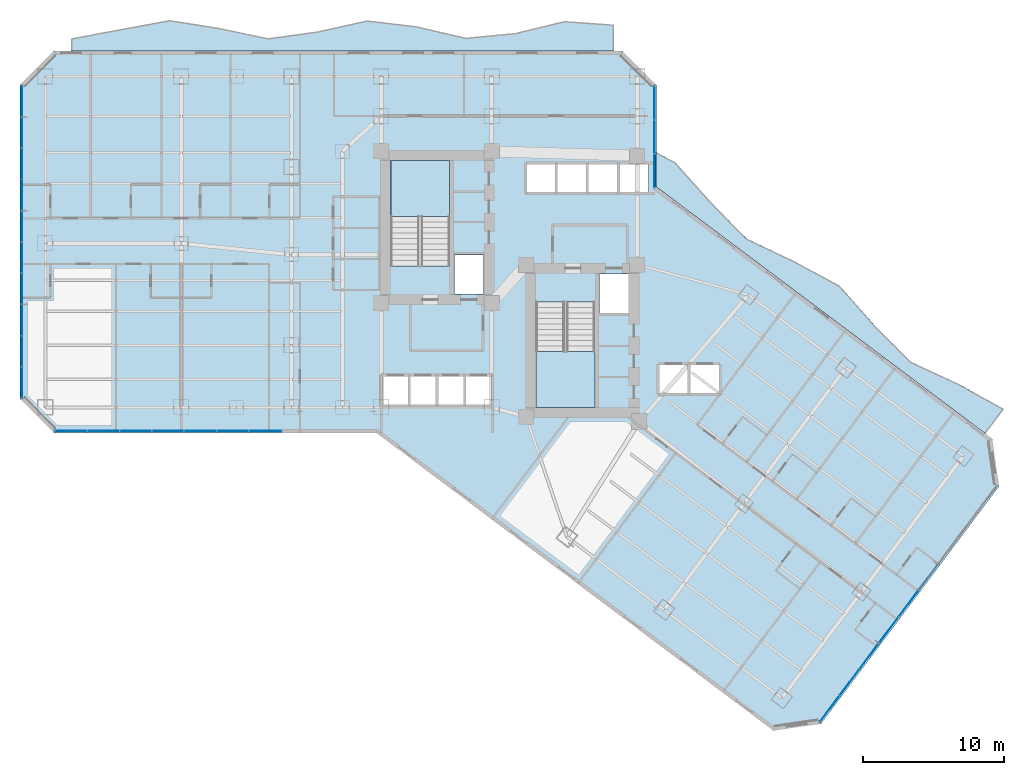
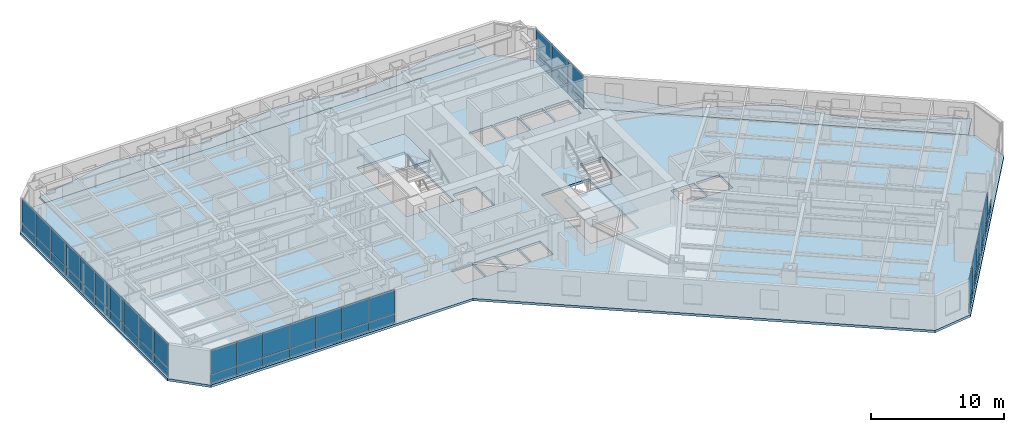
# One storey, part 20 of 38: 51 plates, 5 slabs, 6 elements without a shape of their own.
"""IFC4 building model written with IfcOpenShell, lengths in metres."""

import ifcopenshell
import ifcopenshell.guid

model = None  # the IFC model being written
_history = None  # IfcOwnerHistory: only IFC2X3 demands one
_inside = {}  # id of a spatial element -> (the spatial element, [elements in it])
_under = {}  # id of a project, library or spatial element -> (it, [spatial elements below it])
_declared = {}  # id of a project -> (the project, [libraries it declares])
_typed = {}  # id of a type object -> (the type object, [elements of that type])
_made_of = {}  # id of a material, layer set ... -> (it, [elements and type objects made of it])


def new_model(schema):
    """Start an empty IFC model of exactly this schema.

    Asked for "IFC4X3", IfcOpenShell would pick the latest addendum, in which some entities
    have other attributes; the version numbers below select the first issue.
    IFC2X3 requires an IfcOwnerHistory on every rooted entity: one is made here for all.
    """
    global model, _history
    if schema == "IFC4X3":
        model = ifcopenshell.file(schema_version=(4, 3, 0, 0))
    else:
        model = ifcopenshell.file(schema=schema)
    _inside.clear()
    _under.clear()
    _declared.clear()
    _typed.clear()
    _made_of.clear()
    _history = None
    if model.schema == "IFC2X3":
        org = make("IfcOrganization", Name="unknown")
        user = make(
            "IfcPersonAndOrganization",
            ThePerson=make("IfcPerson", FamilyName="unknown"),
            TheOrganization=org,
        )
        app = make(
            "IfcApplication",
            ApplicationDeveloper=org,
            Version="unknown",
            ApplicationFullName="unknown",
            ApplicationIdentifier="unknown",
        )
        _history = make(
            "IfcOwnerHistory",
            OwningUser=user,
            OwningApplication=app,
            ChangeAction="ADDED",
            CreationDate=0,
        )
    return model


def make(cls, **values):
    """One entity of the class cls with the attributes given. An attribute that is None is left unset."""
    return model.create_entity(
        cls, **{name: value for name, value in values.items() if value is not None}
    )


def rooted(cls, **values):
    """An entity with a GlobalId (a new one), such as an element, a storey or a relation."""
    return make(cls, GlobalId=ifcopenshell.guid.new(), OwnerHistory=_history, **values)


def si_unit(unit_type, name, prefix=None):
    """IfcSIUnit, for example si_unit("LENGTHUNIT", "METRE", prefix="MILLI")."""
    return make("IfcSIUnit", UnitType=unit_type, Prefix=prefix, Name=name)


def assignment(units):
    """IfcUnitAssignment: the units of a project."""
    return None if units is None else make("IfcUnitAssignment", Units=units)


def point(xyz):
    """IfcCartesianPoint."""
    return None if xyz is None else make("IfcCartesianPoint", Coordinates=xyz)


def direction(xyz):
    """IfcDirection."""
    return None if xyz is None else make("IfcDirection", DirectionRatios=xyz)


def frame(location, z_axis=None, x_axis=None):
    """IfcAxis2Placement3D, a coordinate frame: its origin and axes. An axis left out is left unset."""
    return make(
        "IfcAxis2Placement3D",
        Location=point(location),
        Axis=direction(z_axis),
        RefDirection=direction(x_axis),
    )


def frame_2d(location, x_axis=None):
    """IfcAxis2Placement2D, a coordinate frame in the plane: its origin and x axis."""
    return make(
        "IfcAxis2Placement2D", Location=point(location), RefDirection=direction(x_axis)
    )


def origin():
    """The frame at (0, 0, 0) with its axes left unset."""
    return frame((0.0, 0.0, 0.0))


def origin_2d():
    """The frame at (0, 0) in the plane with its x axis left unset."""
    return frame_2d((0.0, 0.0))


def place(relative_to, where):
    """IfcLocalPlacement: puts the frame where relative to a parent placement (None: the world)."""
    return make(
        "IfcLocalPlacement", PlacementRelTo=relative_to, RelativePlacement=where
    )


def context(
    kind, dimensions, precision=None, world=None, true_north=None, identifier=None
):
    """IfcGeometricRepresentationContext, for example the 3D "Model" context."""
    return make(
        "IfcGeometricRepresentationContext",
        ContextIdentifier=identifier,
        ContextType=kind,
        CoordinateSpaceDimension=dimensions,
        Precision=precision,
        WorldCoordinateSystem=world,
        TrueNorth=true_north,
    )


def subcontext(parent, identifier, kind, view, scale=None):
    """IfcGeometricRepresentationSubContext, for example "Body" below "Model"."""
    return make(
        "IfcGeometricRepresentationSubContext",
        ContextIdentifier=identifier,
        ContextType=kind,
        ParentContext=parent,
        TargetScale=scale,
        TargetView=view,
    )


def project(units=None, contexts=None):
    """IfcProject with its units and contexts."""
    return rooted(
        "IfcProject",
        Name="project",
        RepresentationContexts=contexts,
        UnitsInContext=assignment(units),
    )


def spatial(cls, under=None, at=None, **own):
    """A site, building, storey or space (cls), placed at a placement, below another one or the project."""
    s = rooted(cls, ObjectPlacement=at, **own)
    if under is not None:
        _under.setdefault(under.id(), (under, []))[1].append(s)
    return s


def polyline(points):
    """IfcPolyline through the points."""
    return make("IfcPolyline", Points=[point(p) for p in points])


def profile(cls, at=None, kind="AREA", **sizes):
    """A parametric profile (cls). Its sizes go by their IFC names, for example OverallWidth=200.0."""
    return make(cls, ProfileType=kind, Position=at, **sizes)


def rectangle(**sizes):
    """IfcRectangleProfileDef."""
    return profile("IfcRectangleProfileDef", **sizes)


def outline(outer, holes=None, kind="AREA"):
    """IfcArbitraryClosedProfileDef: a profile drawn as a closed curve; with holes, ...WithVoids."""
    if holes is None:
        return make("IfcArbitraryClosedProfileDef", ProfileType=kind, OuterCurve=outer)
    return make(
        "IfcArbitraryProfileDefWithVoids",
        ProfileType=kind,
        OuterCurve=outer,
        InnerCurves=holes,
    )


def extrude(swept, where, along, depth):
    """IfcExtrudedAreaSolid: the profile swept, set in the frame where, extruded along a direction by depth."""
    return make(
        "IfcExtrudedAreaSolid",
        SweptArea=swept,
        Position=where,
        ExtrudedDirection=direction(along),
        Depth=depth,
    )


def shape(context_of_items, identifier, shape_type, items):
    """IfcShapeRepresentation: the items that make up one representation, for example the "Body"."""
    return make(
        "IfcShapeRepresentation",
        ContextOfItems=context_of_items,
        RepresentationIdentifier=identifier,
        RepresentationType=shape_type,
        Items=items,
    )


def material(Name=None, Category=None):
    """IfcMaterial."""
    return make("IfcMaterial", Name=Name, Category=Category)


def layer(
    of_material, thickness, ventilated=None, Name=None, Category=None, Priority=None
):
    """IfcMaterialLayer: one layer of a wall or slab, of a material (None: an air gap)."""
    return make(
        "IfcMaterialLayer",
        Material=of_material,
        LayerThickness=thickness,
        IsVentilated=ventilated,
        Name=Name,
        Category=Category,
        Priority=Priority,
    )


def layer_set(layers, Name=None):
    """IfcMaterialLayerSet."""
    return make("IfcMaterialLayerSet", MaterialLayers=layers, LayerSetName=Name)


def made_of(thing, what):
    """Note that an element or type object is made of a material, layer set ...; save() writes the relation."""
    if what is not None:
        _made_of.setdefault(what.id(), (what, []))[1].append(thing)
    return thing


def type_object(cls, material=None, **own):
    """A type object (cls), such as IfcWallType, which elements share."""
    return made_of(rooted(cls, **own), material)


def element(
    cls,
    number,
    at=None,
    inside=None,
    cuts=None,
    type_object=None,
    material=None,
    context=None,
    identifier="Body",
    shape_type=None,
    held_by="IfcProductDefinitionShape",
    body=None,
    shapes=None,
    **own,
):
    """One element of the class cls, such as IfcWall. Its Tag is "e" and its number.

    at: its placement. inside: the storey or other place that contains it. cuts: it is an
    opening in that element (IfcRelVoidsElement). A single representation is given by context,
    identifier, shape_type and body (its items); several are given by shapes. held_by: the class
    of the entity that holds the representations. save() writes the other relations.
    """
    e = rooted(cls, Tag="e%d" % number, ObjectPlacement=at, **own)
    if body is not None:
        shapes = [shape(context, identifier, shape_type, body)]
    if shapes is not None:
        e.Representation = make(held_by, Representations=shapes)
    if inside is not None:
        _inside.setdefault(inside.id(), (inside, []))[1].append(e)
    if cuts is not None:
        rooted(
            "IfcRelVoidsElement", RelatingBuildingElement=cuts, RelatedOpeningElement=e
        )
    if type_object is not None:
        _typed.setdefault(type_object.id(), (type_object, []))[1].append(e)
    return made_of(e, material)


def aggregate(whole, parts):
    """IfcRelAggregates: a whole, such as a stair, and the parts it consists of."""
    return rooted("IfcRelAggregates", RelatingObject=whole, RelatedObjects=parts)


def save(model, path):
    """Write the relations noted so far, then the file.

    IfcRelAggregates (storeys below a building ...), IfcRelContainedInSpatialStructure (elements
    in a storey), IfcRelDefinesByType, IfcRelAssociatesMaterial and IfcRelDeclares: one each for
    every whole, place, type object, material and project.
    """
    for whole, parts in _under.values():
        aggregate(whole, parts)
    for where, things in _inside.values():
        rooted(
            "IfcRelContainedInSpatialStructure",
            RelatedElements=things,
            RelatingStructure=where,
        )
    for kind, things in _typed.values():
        rooted("IfcRelDefinesByType", RelatedObjects=things, RelatingType=kind)
    for what, things in _made_of.values():
        rooted("IfcRelAssociatesMaterial", RelatedObjects=things, RelatingMaterial=what)
    for by, libraries in _declared.values():
        rooted("IfcRelDeclares", RelatingContext=by, RelatedDefinitions=libraries)
    model.write(path)


model = new_model("IFC4")

# Units and contexts
model_context = context("Model", 3, precision=1e-05, world=origin(), true_north=direction((0.0, 1.0)))
body_context = subcontext(model_context, "Body", "Model", "MODEL_VIEW")
ifc_project = project(units=[si_unit("LENGTHUNIT", "METRE"), si_unit("AREAUNIT", "SQUARE_METRE"), si_unit("VOLUMEUNIT", "CUBIC_METRE"), si_unit("PLANEANGLEUNIT", "RADIAN"), si_unit("MASSUNIT", "GRAM", prefix="KILO")], contexts=[model_context])

# Site, building, storey
site_placement = place(None, origin())
site = spatial("IfcSite", under=ifc_project, at=site_placement, CompositionType="ELEMENT")
building_placement = place(site_placement, origin())
building = spatial("IfcBuilding", under=site, at=building_placement, Name="Hatsunagi Terrace Concourse", CompositionType="ELEMENT")
storey_placement = place(building_placement, frame((0.0, 0.0, 60.050048828125)))
storey = spatial("IfcBuildingStorey", under=building, at=storey_placement, Name="L15", CompositionType="ELEMENT", Elevation=60.050048828125)

# Curtain wall, plates
ifc_material_1 = material(Name="Anodised Aluminium Alloy 6063-T5", Category="aluminium")
ifc_layer_1 = layer(ifc_material_1, 0.199951171875)
ifc_layer_set_1 = layer_set([ifc_layer_1], Name="HotelFacade_CW02")
curtain_wall_type = type_object("IfcCurtainWallType", Name="HotelFacade_CW02", PredefinedType="NOTDEFINED", material=ifc_layer_set_1)
curtain_wall_1_placement = place(storey_placement, origin())
curtain_wall_1 = element("IfcCurtainWall", 1, at=curtain_wall_1_placement, inside=storey, type_object=curtain_wall_type, Name="Unitised Curtain Wall CW-02 CW-L15-03", PredefinedType="NOTDEFINED")
ifc_material_2 = material(Name="Warm Terracotta Ceramic Spandrel Panel", Category="masonry")
ifc_layer_2 = layer(ifc_material_2, 0.031982421875)
ifc_layer_set_2 = layer_set([ifc_layer_2], Name="CurtainWallSpandrelPanel_32")
plate_type_1 = type_object("IfcPlateType", Name="CurtainWallSpandrelPanel_32", PredefinedType="SHEET", material=ifc_layer_set_2)
plate_1_placement = place(storey_placement, frame((64.219970703125, 13.159912109375, 0.030029296875), z_axis=(0.0, 0.0, 1.0), x_axis=(-0.599969314634, -0.800023013105, 0.0)))
plate_1 = element("IfcPlate", 2, at=plate_1_placement, type_object=plate_type_1, Name="Terracotta Spandrel Panel SPN-01", PredefinedType="SHEET", context=body_context, shape_type="SweptSolid", body=[
    extrude(rectangle(XDim=2.264892578125, YDim=0.031982421875, at=origin_2d()), origin(), (0.0, 0.0, 1.0), 0.7900390625),
])
plate_2_placement = place(storey_placement, frame((62.827880859375, 11.303955078125, 0.030029296875), z_axis=(0.0, 0.0, 1.0), x_axis=(-0.599969314634, -0.800023013105, 0.0)))
plate_2 = element("IfcPlate", 3, at=plate_2_placement, type_object=plate_type_1, Name="Terracotta Spandrel Panel SPN-01", PredefinedType="SHEET", context=body_context, shape_type="SweptSolid", body=[
    extrude(rectangle(XDim=2.264892578125, YDim=0.031982421875, at=origin_2d()), origin(), (0.0, 0.0, 1.0), 0.7900390625),
])
plate_3_placement = place(storey_placement, frame((61.43603515625, 9.447998046875, 0.030029296875), z_axis=(0.0, 0.0, 1.0), x_axis=(-0.599969314634, -0.800023013105, 0.0)))
plate_3 = element("IfcPlate", 4, at=plate_3_placement, type_object=plate_type_1, Name="Terracotta Spandrel Panel SPN-01", PredefinedType="SHEET", context=body_context, shape_type="SweptSolid", body=[
    extrude(rectangle(XDim=2.264892578125, YDim=0.031982421875, at=origin_2d()), origin(), (0.0, 0.0, 1.0), 0.7900390625),
])
plate_4_placement = place(storey_placement, frame((60.0439453125, 7.591064453125, 0.030029296875), z_axis=(0.0, 0.0, 1.0), x_axis=(-0.599969314634, -0.800023013105, 0.0)))
plate_4 = element("IfcPlate", 5, at=plate_4_placement, type_object=plate_type_1, Name="Terracotta Spandrel Panel SPN-01", PredefinedType="SHEET", context=body_context, shape_type="SweptSolid", body=[
    extrude(rectangle(XDim=2.264892578125, YDim=0.031982421875, at=origin_2d()), origin(), (0.0, 0.0, 1.0), 0.7900390625),
])
plate_5_placement = place(storey_placement, frame((58.65087890625, 5.735107421875, 0.030029296875), z_axis=(0.0, 0.0, 1.0), x_axis=(-0.599969314634, -0.800023013105, 0.0)))
plate_5 = element("IfcPlate", 6, at=plate_5_placement, type_object=plate_type_1, Name="Terracotta Spandrel Panel SPN-01", PredefinedType="SHEET", context=body_context, shape_type="SweptSolid", body=[
    extrude(rectangle(XDim=2.264892578125, YDim=0.031982421875, at=origin_2d()), origin(), (0.0, 0.0, 1.0), 0.7900390625),
])
plate_6_placement = place(storey_placement, frame((57.259033203125, 3.8779296875, 0.030029296875), z_axis=(0.0, 0.0, 1.0), x_axis=(-0.599969314634, -0.800023013105, 0.0)))
plate_6 = element("IfcPlate", 7, at=plate_6_placement, type_object=plate_type_1, Name="Terracotta Spandrel Panel SPN-01", PredefinedType="SHEET", context=body_context, shape_type="SweptSolid", body=[
    extrude(rectangle(XDim=2.264892578125, YDim=0.031982421875, at=origin_2d()), origin(), (0.0, 0.0, 1.0), 0.7900390625),
])

curtain_wall_2_placement = place(storey_placement, origin())
curtain_wall_2 = element("IfcCurtainWall", 8, at=curtain_wall_2_placement, inside=storey, type_object=curtain_wall_type, Name="Unitised Curtain Wall CW-02 CW-L15-07", PredefinedType="NOTDEFINED")
plate_7_placement = place(storey_placement, frame((17.35400390625, 23.5400390625, 0.030029296875), z_axis=(0.0, 0.0, 1.0), x_axis=(-1.0, 0.0, 0.0)))
plate_7 = element("IfcPlate", 9, at=plate_7_placement, type_object=plate_type_1, Name="Terracotta Spandrel Panel SPN-01", PredefinedType="SHEET", context=body_context, shape_type="SweptSolid", body=[
    extrude(rectangle(XDim=2.237060546875, YDim=0.031982421875, at=origin_2d()), origin(), (0.0, 0.0, 1.0), 0.7900390625),
])
plate_8_placement = place(storey_placement, frame((15.06201171875, 23.5400390625, 0.030029296875), z_axis=(0.0, 0.0, 1.0), x_axis=(-1.0, 0.0, 0.0)))
plate_8 = element("IfcPlate", 10, at=plate_8_placement, type_object=plate_type_1, Name="Terracotta Spandrel Panel SPN-01", PredefinedType="SHEET", context=body_context, shape_type="SweptSolid", body=[
    extrude(rectangle(XDim=2.237060546875, YDim=0.031982421875, at=origin_2d()), origin(), (0.0, 0.0, 1.0), 0.7900390625),
])
plate_9_placement = place(storey_placement, frame((12.77099609375, 23.5400390625, 0.030029296875), z_axis=(0.0, 0.0, 1.0), x_axis=(-1.0, 0.0, 0.0)))
plate_9 = element("IfcPlate", 11, at=plate_9_placement, type_object=plate_type_1, Name="Terracotta Spandrel Panel SPN-01", PredefinedType="SHEET", context=body_context, shape_type="SweptSolid", body=[
    extrude(rectangle(XDim=2.237060546875, YDim=0.031982421875, at=origin_2d()), origin(), (0.0, 0.0, 1.0), 0.7900390625),
])
plate_10_placement = place(storey_placement, frame((10.47900390625, 23.5400390625, 0.030029296875), z_axis=(0.0, 0.0, 1.0), x_axis=(-1.0, 0.0, 0.0)))
plate_10 = element("IfcPlate", 12, at=plate_10_placement, type_object=plate_type_1, Name="Terracotta Spandrel Panel SPN-01", PredefinedType="SHEET", context=body_context, shape_type="SweptSolid", body=[
    extrude(rectangle(XDim=2.237060546875, YDim=0.031982421875, at=origin_2d()), origin(), (0.0, 0.0, 1.0), 0.7900390625),
])
plate_11_placement = place(storey_placement, frame((8.18701171875, 23.5400390625, 0.030029296875), z_axis=(0.0, 0.0, 1.0), x_axis=(-1.0, 0.0, 0.0)))
plate_11 = element("IfcPlate", 13, at=plate_11_placement, type_object=plate_type_1, Name="Terracotta Spandrel Panel SPN-01", PredefinedType="SHEET", context=body_context, shape_type="SweptSolid", body=[
    extrude(rectangle(XDim=2.237060546875, YDim=0.031982421875, at=origin_2d()), origin(), (0.0, 0.0, 1.0), 0.7900390625),
])
plate_12_placement = place(storey_placement, frame((5.89599609375, 23.5400390625, 0.030029296875), z_axis=(0.0, 0.0, 1.0), x_axis=(-1.0, 0.0, 0.0)))
plate_12 = element("IfcPlate", 14, at=plate_12_placement, type_object=plate_type_1, Name="Terracotta Spandrel Panel SPN-01", PredefinedType="SHEET", context=body_context, shape_type="SweptSolid", body=[
    extrude(rectangle(XDim=2.237060546875, YDim=0.031982421875, at=origin_2d()), origin(), (0.0, 0.0, 1.0), 0.7900390625),
])
plate_13_placement = place(storey_placement, frame((3.60400390625, 23.5400390625, 0.030029296875), z_axis=(0.0, 0.0, 1.0), x_axis=(-1.0, 0.0, 0.0)))
plate_13 = element("IfcPlate", 15, at=plate_13_placement, type_object=plate_type_1, Name="Terracotta Spandrel Panel SPN-01", PredefinedType="SHEET", context=body_context, shape_type="SweptSolid", body=[
    extrude(rectangle(XDim=2.237060546875, YDim=0.031982421875, at=origin_2d()), origin(), (0.0, 0.0, 1.0), 0.7900390625),
])

curtain_wall_3_placement = place(storey_placement, origin())
curtain_wall_3 = element("IfcCurtainWall", 16, at=curtain_wall_3_placement, inside=storey, type_object=curtain_wall_type, Name="Unitised Curtain Wall CW-02 CW-L15-09", PredefinedType="NOTDEFINED")
plate_14_placement = place(storey_placement, frame((0.139892578125, 26.9619140625, 0.030029296875), z_axis=(0.0, 0.0, 1.0), x_axis=(0.0, 1.0, 0.0)))
plate_14 = element("IfcPlate", 17, at=plate_14_placement, type_object=plate_type_1, Name="Terracotta Spandrel Panel SPN-01", PredefinedType="SHEET", context=body_context, shape_type="SweptSolid", body=[
    extrude(rectangle(XDim=2.153076171875, YDim=0.031982421875, at=origin_2d()), origin(), (0.0, 0.0, 1.0), 0.7900390625),
])
plate_15_placement = place(storey_placement, frame((0.139892578125, 29.1708984375, 0.030029296875), z_axis=(0.0, 0.0, 1.0), x_axis=(0.0, 1.0, 0.0)))
plate_15 = element("IfcPlate", 18, at=plate_15_placement, type_object=plate_type_1, Name="Terracotta Spandrel Panel SPN-01", PredefinedType="SHEET", context=body_context, shape_type="SweptSolid", body=[
    extrude(rectangle(XDim=2.153076171875, YDim=0.031982421875, at=origin_2d()), origin(), (0.0, 0.0, 1.0), 0.7900390625),
])
plate_16_placement = place(storey_placement, frame((0.139892578125, 31.37890625, 0.030029296875), z_axis=(0.0, 0.0, 1.0), x_axis=(0.0, 1.0, 0.0)))
plate_16 = element("IfcPlate", 19, at=plate_16_placement, type_object=plate_type_1, Name="Terracotta Spandrel Panel SPN-01", PredefinedType="SHEET", context=body_context, shape_type="SweptSolid", body=[
    extrude(rectangle(XDim=2.153076171875, YDim=0.031982421875, at=origin_2d()), origin(), (0.0, 0.0, 1.0), 0.7900390625),
])
plate_17_placement = place(storey_placement, frame((0.139892578125, 33.5869140625, 0.030029296875), z_axis=(0.0, 0.0, 1.0), x_axis=(0.0, 1.0, 0.0)))
plate_17 = element("IfcPlate", 20, at=plate_17_placement, type_object=plate_type_1, Name="Terracotta Spandrel Panel SPN-01", PredefinedType="SHEET", context=body_context, shape_type="SweptSolid", body=[
    extrude(rectangle(XDim=2.153076171875, YDim=0.031982421875, at=origin_2d()), origin(), (0.0, 0.0, 1.0), 0.7900390625),
])
plate_18_placement = place(storey_placement, frame((0.139892578125, 35.7958984375, 0.030029296875), z_axis=(0.0, 0.0, 1.0), x_axis=(0.0, 1.0, 0.0)))
plate_18 = element("IfcPlate", 21, at=plate_18_placement, type_object=plate_type_1, Name="Terracotta Spandrel Panel SPN-01", PredefinedType="SHEET", context=body_context, shape_type="SweptSolid", body=[
    extrude(rectangle(XDim=2.153076171875, YDim=0.031982421875, at=origin_2d()), origin(), (0.0, 0.0, 1.0), 0.7900390625),
])
plate_19_placement = place(storey_placement, frame((0.139892578125, 38.00390625, 0.030029296875), z_axis=(0.0, 0.0, 1.0), x_axis=(0.0, 1.0, 0.0)))
plate_19 = element("IfcPlate", 22, at=plate_19_placement, type_object=plate_type_1, Name="Terracotta Spandrel Panel SPN-01", PredefinedType="SHEET", context=body_context, shape_type="SweptSolid", body=[
    extrude(rectangle(XDim=2.153076171875, YDim=0.031982421875, at=origin_2d()), origin(), (0.0, 0.0, 1.0), 0.7900390625),
])
plate_20_placement = place(storey_placement, frame((0.139892578125, 40.212890625, 0.030029296875), z_axis=(0.0, 0.0, 1.0), x_axis=(0.0, 1.0, 0.0)))
plate_20 = element("IfcPlate", 23, at=plate_20_placement, type_object=plate_type_1, Name="Terracotta Spandrel Panel SPN-01", PredefinedType="SHEET", context=body_context, shape_type="SweptSolid", body=[
    extrude(rectangle(XDim=2.153076171875, YDim=0.031982421875, at=origin_2d()), origin(), (0.0, 0.0, 1.0), 0.7900390625),
])
plate_21_placement = place(storey_placement, frame((0.139892578125, 42.4208984375, 0.030029296875), z_axis=(0.0, 0.0, 1.0), x_axis=(0.0, 1.0, 0.0)))
plate_21 = element("IfcPlate", 24, at=plate_21_placement, type_object=plate_type_1, Name="Terracotta Spandrel Panel SPN-01", PredefinedType="SHEET", context=body_context, shape_type="SweptSolid", body=[
    extrude(rectangle(XDim=2.153076171875, YDim=0.031982421875, at=origin_2d()), origin(), (0.0, 0.0, 1.0), 0.7900390625),
])
plate_22_placement = place(storey_placement, frame((0.139892578125, 44.62890625, 0.030029296875), z_axis=(0.0, 0.0, 1.0), x_axis=(0.0, 1.0, 0.0)))
plate_22 = element("IfcPlate", 25, at=plate_22_placement, type_object=plate_type_1, Name="Terracotta Spandrel Panel SPN-01", PredefinedType="SHEET", context=body_context, shape_type="SweptSolid", body=[
    extrude(rectangle(XDim=2.153076171875, YDim=0.031982421875, at=origin_2d()), origin(), (0.0, 0.0, 1.0), 0.7900390625),
])
plate_23_placement = place(storey_placement, frame((0.139892578125, 46.837890625, 0.030029296875), z_axis=(0.0, 0.0, 1.0), x_axis=(0.0, 1.0, 0.0)))
plate_23 = element("IfcPlate", 26, at=plate_23_placement, type_object=plate_type_1, Name="Terracotta Spandrel Panel SPN-01", PredefinedType="SHEET", context=body_context, shape_type="SweptSolid", body=[
    extrude(rectangle(XDim=2.153076171875, YDim=0.031982421875, at=origin_2d()), origin(), (0.0, 0.0, 1.0), 0.7900390625),
])

curtain_wall_4_placement = place(storey_placement, origin())
curtain_wall_4 = element("IfcCurtainWall", 27, at=curtain_wall_4_placement, inside=storey, type_object=curtain_wall_type, Name="Unitised Curtain Wall CW-02 CW-L15-13", PredefinedType="NOTDEFINED")
plate_24_placement = place(storey_placement, frame((44.860107421875, 46.739990234375, 0.030029296875), z_axis=(0.0, 0.0, 1.0), x_axis=(0.0, -1.0, 0.0)))
plate_24 = element("IfcPlate", 28, at=plate_24_placement, type_object=plate_type_1, Name="Terracotta Spandrel Panel SPN-01", PredefinedType="SHEET", context=body_context, shape_type="SweptSolid", body=[
    extrude(rectangle(XDim=2.34912109375, YDim=0.031982421875, at=origin_2d()), origin(), (0.0, 0.0, 1.0), 0.7900390625),
])
plate_25_placement = place(storey_placement, frame((44.860107421875, 44.3359375, 0.030029296875), z_axis=(0.0, 0.0, 1.0), x_axis=(0.0, -1.0, 0.0)))
plate_25 = element("IfcPlate", 29, at=plate_25_placement, type_object=plate_type_1, Name="Terracotta Spandrel Panel SPN-01", PredefinedType="SHEET", context=body_context, shape_type="SweptSolid", body=[
    extrude(rectangle(XDim=2.34912109375, YDim=0.031982421875, at=origin_2d()), origin(), (0.0, 0.0, 1.0), 0.7900390625),
])
plate_26_placement = place(storey_placement, frame((44.860107421875, 41.931884765625, 0.030029296875), z_axis=(0.0, 0.0, 1.0), x_axis=(0.0, -1.0, 0.0)))
plate_26 = element("IfcPlate", 30, at=plate_26_placement, type_object=plate_type_1, Name="Terracotta Spandrel Panel SPN-01", PredefinedType="SHEET", context=body_context, shape_type="SweptSolid", body=[
    extrude(rectangle(XDim=2.34912109375, YDim=0.031982421875, at=origin_2d()), origin(), (0.0, 0.0, 1.0), 0.7900390625),
])

# Plate
ifc_material_3 = material(Name="Low-E Double Insulating Glass 28mm", Category="glass")
ifc_layer_3 = layer(ifc_material_3, 0.028076171875)
ifc_layer_set_3 = layer_set([ifc_layer_3], Name="CurtainWallVisionGlass_28")
plate_type_2 = type_object("IfcPlateType", Name="CurtainWallVisionGlass_28", PredefinedType="CURTAIN_PANEL", material=ifc_layer_set_3)
plate_27_placement = place(storey_placement, frame((62.827880859375, 11.303955078125, 0.8798828125), z_axis=(0.0, 0.0, 1.0), x_axis=(-0.599969314634, -0.800023013105, 0.0)))
plate_27 = element("IfcPlate", 31, at=plate_27_placement, type_object=plate_type_2, Name="Low-E Vision Glass Panel GLZ-01", PredefinedType="CURTAIN_PANEL", context=body_context, shape_type="SweptSolid", body=[
    extrude(rectangle(XDim=2.264892578125, YDim=0.028076171875, at=origin_2d()), origin(), (0.0, 0.0, 1.0), 2.219970703125),
])

plate_28_placement = place(storey_placement, frame((61.43603515625, 9.447998046875, 0.8798828125), z_axis=(0.0, 0.0, 1.0), x_axis=(-0.599969314634, -0.800023013105, 0.0)))
plate_28 = element("IfcPlate", 32, at=plate_28_placement, type_object=plate_type_2, Name="Low-E Vision Glass Panel GLZ-01", PredefinedType="CURTAIN_PANEL", context=body_context, shape_type="SweptSolid", body=[
    extrude(rectangle(XDim=2.264892578125, YDim=0.028076171875, at=origin_2d()), origin(), (0.0, 0.0, 1.0), 2.219970703125),
])

plate_29_placement = place(storey_placement, frame((60.0439453125, 7.591064453125, 0.8798828125), z_axis=(0.0, 0.0, 1.0), x_axis=(-0.599969314634, -0.800023013105, 0.0)))
plate_29 = element("IfcPlate", 33, at=plate_29_placement, type_object=plate_type_2, Name="Low-E Vision Glass Panel GLZ-01", PredefinedType="CURTAIN_PANEL", context=body_context, shape_type="SweptSolid", body=[
    extrude(rectangle(XDim=2.264892578125, YDim=0.028076171875, at=origin_2d()), origin(), (0.0, 0.0, 1.0), 2.219970703125),
])

plate_30_placement = place(storey_placement, frame((58.65087890625, 5.735107421875, 0.8798828125), z_axis=(0.0, 0.0, 1.0), x_axis=(-0.599969314634, -0.800023013105, 0.0)))
plate_30 = element("IfcPlate", 34, at=plate_30_placement, type_object=plate_type_2, Name="Low-E Vision Glass Panel GLZ-01", PredefinedType="CURTAIN_PANEL", context=body_context, shape_type="SweptSolid", body=[
    extrude(rectangle(XDim=2.264892578125, YDim=0.028076171875, at=origin_2d()), origin(), (0.0, 0.0, 1.0), 2.219970703125),
])

plate_31_placement = place(storey_placement, frame((57.259033203125, 3.8779296875, 0.8798828125), z_axis=(0.0, 0.0, 1.0), x_axis=(-0.599969314634, -0.800023013105, 0.0)))
plate_31 = element("IfcPlate", 35, at=plate_31_placement, type_object=plate_type_2, Name="Low-E Vision Glass Panel GLZ-01", PredefinedType="CURTAIN_PANEL", context=body_context, shape_type="SweptSolid", body=[
    extrude(rectangle(XDim=2.264892578125, YDim=0.028076171875, at=origin_2d()), origin(), (0.0, 0.0, 1.0), 2.219970703125),
])

aggregate(curtain_wall_1, [plate_1, plate_2, plate_27, plate_3, plate_28, plate_4, plate_29, plate_5, plate_30, plate_6, plate_31])

plate_32_placement = place(storey_placement, frame((17.35400390625, 23.5400390625, 0.8798828125), z_axis=(0.0, 0.0, 1.0), x_axis=(-1.0, 0.0, 0.0)))
plate_32 = element("IfcPlate", 36, at=plate_32_placement, type_object=plate_type_2, Name="Low-E Vision Glass Panel GLZ-01", PredefinedType="CURTAIN_PANEL", context=body_context, shape_type="SweptSolid", body=[
    extrude(rectangle(XDim=2.237060546875, YDim=0.028076171875, at=origin_2d()), origin(), (0.0, 0.0, 1.0), 2.219970703125),
])

plate_33_placement = place(storey_placement, frame((15.06201171875, 23.5400390625, 0.8798828125), z_axis=(0.0, 0.0, 1.0), x_axis=(-1.0, 0.0, 0.0)))
plate_33 = element("IfcPlate", 37, at=plate_33_placement, type_object=plate_type_2, Name="Low-E Vision Glass Panel GLZ-01", PredefinedType="CURTAIN_PANEL", context=body_context, shape_type="SweptSolid", body=[
    extrude(rectangle(XDim=2.237060546875, YDim=0.028076171875, at=origin_2d()), origin(), (0.0, 0.0, 1.0), 2.219970703125),
])

plate_34_placement = place(storey_placement, frame((12.77099609375, 23.5400390625, 0.8798828125), z_axis=(0.0, 0.0, 1.0), x_axis=(-1.0, 0.0, 0.0)))
plate_34 = element("IfcPlate", 38, at=plate_34_placement, type_object=plate_type_2, Name="Low-E Vision Glass Panel GLZ-01", PredefinedType="CURTAIN_PANEL", context=body_context, shape_type="SweptSolid", body=[
    extrude(rectangle(XDim=2.237060546875, YDim=0.028076171875, at=origin_2d()), origin(), (0.0, 0.0, 1.0), 2.219970703125),
])

plate_35_placement = place(storey_placement, frame((10.47900390625, 23.5400390625, 0.8798828125), z_axis=(0.0, 0.0, 1.0), x_axis=(-1.0, 0.0, 0.0)))
plate_35 = element("IfcPlate", 39, at=plate_35_placement, type_object=plate_type_2, Name="Low-E Vision Glass Panel GLZ-01", PredefinedType="CURTAIN_PANEL", context=body_context, shape_type="SweptSolid", body=[
    extrude(rectangle(XDim=2.237060546875, YDim=0.028076171875, at=origin_2d()), origin(), (0.0, 0.0, 1.0), 2.219970703125),
])

plate_36_placement = place(storey_placement, frame((8.18701171875, 23.5400390625, 0.8798828125), z_axis=(0.0, 0.0, 1.0), x_axis=(-1.0, 0.0, 0.0)))
plate_36 = element("IfcPlate", 40, at=plate_36_placement, type_object=plate_type_2, Name="Low-E Vision Glass Panel GLZ-01", PredefinedType="CURTAIN_PANEL", context=body_context, shape_type="SweptSolid", body=[
    extrude(rectangle(XDim=2.237060546875, YDim=0.028076171875, at=origin_2d()), origin(), (0.0, 0.0, 1.0), 2.219970703125),
])

plate_37_placement = place(storey_placement, frame((5.89599609375, 23.5400390625, 0.8798828125), z_axis=(0.0, 0.0, 1.0), x_axis=(-1.0, 0.0, 0.0)))
plate_37 = element("IfcPlate", 41, at=plate_37_placement, type_object=plate_type_2, Name="Low-E Vision Glass Panel GLZ-01", PredefinedType="CURTAIN_PANEL", context=body_context, shape_type="SweptSolid", body=[
    extrude(rectangle(XDim=2.237060546875, YDim=0.028076171875, at=origin_2d()), origin(), (0.0, 0.0, 1.0), 2.219970703125),
])

plate_38_placement = place(storey_placement, frame((3.60400390625, 23.5400390625, 0.8798828125), z_axis=(0.0, 0.0, 1.0), x_axis=(-1.0, 0.0, 0.0)))
plate_38 = element("IfcPlate", 42, at=plate_38_placement, type_object=plate_type_2, Name="Low-E Vision Glass Panel GLZ-01", PredefinedType="CURTAIN_PANEL", context=body_context, shape_type="SweptSolid", body=[
    extrude(rectangle(XDim=2.237060546875, YDim=0.028076171875, at=origin_2d()), origin(), (0.0, 0.0, 1.0), 2.219970703125),
])

aggregate(curtain_wall_2, [plate_7, plate_32, plate_8, plate_33, plate_9, plate_34, plate_10, plate_35, plate_11, plate_36, plate_12, plate_37, plate_13, plate_38])

plate_39_placement = place(storey_placement, frame((0.139892578125, 26.9619140625, 0.8798828125), z_axis=(0.0, 0.0, 1.0), x_axis=(0.0, 1.0, 0.0)))
plate_39 = element("IfcPlate", 43, at=plate_39_placement, type_object=plate_type_2, Name="Low-E Vision Glass Panel GLZ-01", PredefinedType="CURTAIN_PANEL", context=body_context, shape_type="SweptSolid", body=[
    extrude(rectangle(XDim=2.153076171875, YDim=0.028076171875, at=origin_2d()), origin(), (0.0, 0.0, 1.0), 2.219970703125),
])

plate_40_placement = place(storey_placement, frame((0.139892578125, 29.1708984375, 0.8798828125), z_axis=(0.0, 0.0, 1.0), x_axis=(0.0, 1.0, 0.0)))
plate_40 = element("IfcPlate", 44, at=plate_40_placement, type_object=plate_type_2, Name="Low-E Vision Glass Panel GLZ-01", PredefinedType="CURTAIN_PANEL", context=body_context, shape_type="SweptSolid", body=[
    extrude(rectangle(XDim=2.153076171875, YDim=0.028076171875, at=origin_2d()), origin(), (0.0, 0.0, 1.0), 2.219970703125),
])

plate_41_placement = place(storey_placement, frame((0.139892578125, 31.37890625, 0.8798828125), z_axis=(0.0, 0.0, 1.0), x_axis=(0.0, 1.0, 0.0)))
plate_41 = element("IfcPlate", 45, at=plate_41_placement, type_object=plate_type_2, Name="Low-E Vision Glass Panel GLZ-01", PredefinedType="CURTAIN_PANEL", context=body_context, shape_type="SweptSolid", body=[
    extrude(rectangle(XDim=2.153076171875, YDim=0.028076171875, at=origin_2d()), origin(), (0.0, 0.0, 1.0), 2.219970703125),
])

plate_42_placement = place(storey_placement, frame((0.139892578125, 33.5869140625, 0.8798828125), z_axis=(0.0, 0.0, 1.0), x_axis=(0.0, 1.0, 0.0)))
plate_42 = element("IfcPlate", 46, at=plate_42_placement, type_object=plate_type_2, Name="Low-E Vision Glass Panel GLZ-01", PredefinedType="CURTAIN_PANEL", context=body_context, shape_type="SweptSolid", body=[
    extrude(rectangle(XDim=2.153076171875, YDim=0.028076171875, at=origin_2d()), origin(), (0.0, 0.0, 1.0), 2.219970703125),
])

plate_43_placement = place(storey_placement, frame((0.139892578125, 35.7958984375, 0.8798828125), z_axis=(0.0, 0.0, 1.0), x_axis=(0.0, 1.0, 0.0)))
plate_43 = element("IfcPlate", 47, at=plate_43_placement, type_object=plate_type_2, Name="Low-E Vision Glass Panel GLZ-01", PredefinedType="CURTAIN_PANEL", context=body_context, shape_type="SweptSolid", body=[
    extrude(rectangle(XDim=2.153076171875, YDim=0.028076171875, at=origin_2d()), origin(), (0.0, 0.0, 1.0), 2.219970703125),
])

plate_44_placement = place(storey_placement, frame((0.139892578125, 38.00390625, 0.8798828125), z_axis=(0.0, 0.0, 1.0), x_axis=(0.0, 1.0, 0.0)))
plate_44 = element("IfcPlate", 48, at=plate_44_placement, type_object=plate_type_2, Name="Low-E Vision Glass Panel GLZ-01", PredefinedType="CURTAIN_PANEL", context=body_context, shape_type="SweptSolid", body=[
    extrude(rectangle(XDim=2.153076171875, YDim=0.028076171875, at=origin_2d()), origin(), (0.0, 0.0, 1.0), 2.219970703125),
])

plate_45_placement = place(storey_placement, frame((0.139892578125, 40.212890625, 0.8798828125), z_axis=(0.0, 0.0, 1.0), x_axis=(0.0, 1.0, 0.0)))
plate_45 = element("IfcPlate", 49, at=plate_45_placement, type_object=plate_type_2, Name="Low-E Vision Glass Panel GLZ-01", PredefinedType="CURTAIN_PANEL", context=body_context, shape_type="SweptSolid", body=[
    extrude(rectangle(XDim=2.153076171875, YDim=0.028076171875, at=origin_2d()), origin(), (0.0, 0.0, 1.0), 2.219970703125),
])

plate_46_placement = place(storey_placement, frame((0.139892578125, 42.4208984375, 0.8798828125), z_axis=(0.0, 0.0, 1.0), x_axis=(0.0, 1.0, 0.0)))
plate_46 = element("IfcPlate", 50, at=plate_46_placement, type_object=plate_type_2, Name="Low-E Vision Glass Panel GLZ-01", PredefinedType="CURTAIN_PANEL", context=body_context, shape_type="SweptSolid", body=[
    extrude(rectangle(XDim=2.153076171875, YDim=0.028076171875, at=origin_2d()), origin(), (0.0, 0.0, 1.0), 2.219970703125),
])

plate_47_placement = place(storey_placement, frame((0.139892578125, 44.62890625, 0.8798828125), z_axis=(0.0, 0.0, 1.0), x_axis=(0.0, 1.0, 0.0)))
plate_47 = element("IfcPlate", 51, at=plate_47_placement, type_object=plate_type_2, Name="Low-E Vision Glass Panel GLZ-01", PredefinedType="CURTAIN_PANEL", context=body_context, shape_type="SweptSolid", body=[
    extrude(rectangle(XDim=2.153076171875, YDim=0.028076171875, at=origin_2d()), origin(), (0.0, 0.0, 1.0), 2.219970703125),
])

plate_48_placement = place(storey_placement, frame((0.139892578125, 46.837890625, 0.8798828125), z_axis=(0.0, 0.0, 1.0), x_axis=(0.0, 1.0, 0.0)))
plate_48 = element("IfcPlate", 52, at=plate_48_placement, type_object=plate_type_2, Name="Low-E Vision Glass Panel GLZ-01", PredefinedType="CURTAIN_PANEL", context=body_context, shape_type="SweptSolid", body=[
    extrude(rectangle(XDim=2.153076171875, YDim=0.028076171875, at=origin_2d()), origin(), (0.0, 0.0, 1.0), 2.219970703125),
])

aggregate(curtain_wall_3, [plate_14, plate_39, plate_15, plate_40, plate_16, plate_41, plate_17, plate_42, plate_18, plate_43, plate_19, plate_44, plate_20, plate_45, plate_21, plate_46, plate_22, plate_47, plate_23, plate_48])

plate_49_placement = place(storey_placement, frame((44.860107421875, 46.739990234375, 0.8798828125), z_axis=(0.0, 0.0, 1.0), x_axis=(0.0, -1.0, 0.0)))
plate_49 = element("IfcPlate", 53, at=plate_49_placement, type_object=plate_type_2, Name="Low-E Vision Glass Panel GLZ-01", PredefinedType="CURTAIN_PANEL", context=body_context, shape_type="SweptSolid", body=[
    extrude(rectangle(XDim=2.34912109375, YDim=0.028076171875, at=origin_2d()), origin(), (0.0, 0.0, 1.0), 2.219970703125),
])

plate_50_placement = place(storey_placement, frame((44.860107421875, 44.3359375, 0.8798828125), z_axis=(0.0, 0.0, 1.0), x_axis=(0.0, -1.0, 0.0)))
plate_50 = element("IfcPlate", 54, at=plate_50_placement, type_object=plate_type_2, Name="Low-E Vision Glass Panel GLZ-01", PredefinedType="CURTAIN_PANEL", context=body_context, shape_type="SweptSolid", body=[
    extrude(rectangle(XDim=2.34912109375, YDim=0.028076171875, at=origin_2d()), origin(), (0.0, 0.0, 1.0), 2.219970703125),
])

plate_51_placement = place(storey_placement, frame((44.860107421875, 41.931884765625, 0.8798828125), z_axis=(0.0, 0.0, 1.0), x_axis=(0.0, -1.0, 0.0)))
plate_51 = element("IfcPlate", 55, at=plate_51_placement, type_object=plate_type_2, Name="Low-E Vision Glass Panel GLZ-01", PredefinedType="CURTAIN_PANEL", context=body_context, shape_type="SweptSolid", body=[
    extrude(rectangle(XDim=2.34912109375, YDim=0.028076171875, at=origin_2d()), origin(), (0.0, 0.0, 1.0), 2.219970703125),
])

aggregate(curtain_wall_4, [plate_24, plate_49, plate_25, plate_50, plate_26, plate_51])

# Stair, slab
ifc_material_4 = material(Name="Concrete Fc42", Category="concrete")
stair_type = type_object("IfcStairType", Name="DoglegExitStair_Tower2000_20R_168", PredefinedType="HALF_TURN_STAIR", material=ifc_material_4)
stair_1_placement = place(storey_placement, origin())
stair_1 = element("IfcStair", 56, at=stair_1_placement, inside=storey, type_object=stair_type, Name="L15 Core A Protected Exit Stair ST-A", PredefinedType="HALF_TURN_STAIR")
ifc_material_5 = material(Name="Concrete Fc42", Category="concrete")
ifc_layer_4 = layer(ifc_material_5, 0.199951171875)
ifc_layer_set_4 = layer_set([ifc_layer_4], Name="DoglegStairLanding_Tower2000")
slab_type_1 = type_object("IfcSlabType", Name="DoglegStairLanding_Tower2000", PredefinedType="LANDING", material=ifc_layer_set_4)
slab_1_placement = place(storey_placement, frame((0.0, 0.0, 1.474853515625)))
slab_1 = element("IfcSlab", 57, at=slab_1_placement, type_object=slab_type_1, Name="ST-A landing 1", PredefinedType="LANDING", context=body_context, shape_type="SweptSolid", body=[
    extrude(outline(polyline([(30.3798828125, 38.7099609375), (30.3798828125, 42.659912109375), (26.22998046875, 42.659912109375), (26.22998046875, 38.7099609375), (30.3798828125, 38.7099609375)])), origin(), (0.0, 0.0, 1.0), 0.2001953125),
])
aggregate(stair_1, [slab_1])

stair_2_placement = place(storey_placement, origin())
stair_2 = element("IfcStair", 58, at=stair_2_placement, inside=storey, type_object=stair_type, Name="L15 Core B Protected Exit Stair ST-B", PredefinedType="HALF_TURN_STAIR")
slab_2_placement = place(storey_placement, frame((0.0, 0.0, 1.474853515625)))
slab_2 = element("IfcSlab", 59, at=slab_2_placement, type_object=slab_type_1, Name="ST-B landing 1", PredefinedType="LANDING", context=body_context, shape_type="SweptSolid", body=[
    extrude(outline(polyline([(36.5, 29.14990234375), (36.5, 25.199951171875), (40.64990234375, 25.199951171875), (40.64990234375, 29.14990234375), (36.5, 29.14990234375)])), origin(), (0.0, 0.0, 1.0), 0.2001953125),
])
aggregate(stair_2, [slab_2])

# Slabs
ifc_material_6 = material(Name="Concrete Fc42", Category="concrete")
ifc_layer_5 = layer(ifc_material_6, 0.199951171875)
ifc_layer_set_5 = layer_set([ifc_layer_5], Name="EngawaBalconySlab_Fc42_200")
slab_type_2 = type_object("IfcSlabType", Name="EngawaBalconySlab_Fc42_200", PredefinedType="FLOOR", material=ifc_layer_set_5)
slab_3_placement = place(storey_placement, frame((0.0, 0.0, -0.199951171875)))
element("IfcSlab", 60, at=slab_3_placement, inside=storey, type_object=slab_type_2, Name="Engawa Balcony Slab BAL-L15-BN", PredefinedType="FLOOR", context=body_context, shape_type="SweptSolid", body=[
    extrude(outline(polyline([(3.60009765625, 51.300048828125), (3.60009765625, 50.39990234375), (42.0, 50.39990234375), (42.0, 52.27490234375), (38.509033203125, 52.528076171875), (35.01806640625, 51.679931640625), (31.527099609375, 51.346923828125), (28.035888671875, 52.1630859375), (24.544921875, 52.573974609375), (21.054931640625, 51.797119140625), (17.56396484375, 51.31201171875), (14.072998046875, 52.0419921875), (10.58203125, 52.596923828125), (7.091064453125, 51.9189453125), (3.60009765625, 51.300048828125)])), origin(), (0.0, 0.0, 1.0), 0.199951171875),
])
slab_4_placement = place(storey_placement, frame((0.0, 0.0, -0.199951171875)))
element("IfcSlab", 61, at=slab_4_placement, inside=storey, type_object=slab_type_2, Name="Engawa Balcony Slab BAL-L15-BSE", PredefinedType="FLOOR", context=body_context, shape_type="SweptSolid", body=[
    extrude(outline(polyline([(46.344970703125, 42.537109375), (44.99609375, 43.243896484375), (44.99609375, 40.802978515625), (68.280029296875, 23.340087890625), (69.591064453125, 25.087890625), (66.382080078125, 26.864990234375), (63.013916015625, 28.428955078125), (60.422119140625, 31.030029296875), (57.968017578125, 33.81298828125), (54.73291015625, 35.554931640625), (51.383056640625, 37.14404296875), (48.818115234375, 39.780029296875), (46.344970703125, 42.537109375)])), origin(), (0.0, 0.0, 1.0), 0.199951171875),
])
ifc_material_7 = material(Name="Concrete Fc42", Category="concrete")
ifc_layer_6 = layer(ifc_material_7, 0.219970703125)
ifc_layer_set_6 = layer_set([ifc_layer_6], Name="HotelFloorSlab_Fc42_220")
slab_type_3 = type_object("IfcSlabType", Name="HotelFloorSlab_Fc42_220", PredefinedType="FLOOR", material=ifc_layer_set_6)
slab_5_placement = place(storey_placement, frame((0.0, 0.0, -0.219970703125)))
element("IfcSlab", 62, at=slab_5_placement, inside=storey, type_object=slab_type_3, Name="Floor Slab SL-220 L15", PredefinedType="FLOOR", context=body_context, shape_type="SweptSolid", body=[
    extrude(outline(polyline([(45.0, 40.800048828125), (45.0, 48.0), (42.60009765625, 50.39990234375), (2.39990234375, 50.39990234375), (0.0, 48.0), (0.0, 25.800048828125), (2.39990234375, 23.39990234375), (25.199951171875, 23.39990234375), (53.280029296875, 2.340087890625), (56.639892578125, 2.820068359375), (69.239990234375, 19.6201171875), (68.760009765625, 22.97998046875), (45.0, 40.800048828125)]), holes=[polyline([(26.22998046875, 35.205078125), (30.3798828125, 35.205078125), (30.3798828125, 42.659912109375), (26.22998046875, 42.659912109375), (26.22998046875, 35.205078125)]), polyline([(36.5, 25.199951171875), (40.64990234375, 25.199951171875), (40.64990234375, 32.655029296875), (36.5, 32.655029296875), (36.5, 25.199951171875)]), polyline([(30.719970703125, 33.219970703125), (32.780029296875, 33.219970703125), (32.780029296875, 35.97998046875), (30.719970703125, 35.97998046875), (30.719970703125, 33.219970703125)]), polyline([(40.97998046875, 31.8798828125), (43.02001953125, 31.8798828125), (43.02001953125, 34.639892578125), (40.97998046875, 34.639892578125), (40.97998046875, 31.8798828125)]), polyline([(25.6201171875, 25.39990234375), (27.47998046875, 25.39990234375), (27.47998046875, 27.39990234375), (25.6201171875, 27.39990234375), (25.6201171875, 25.39990234375)]), polyline([(27.580078125, 25.39990234375), (29.43994140625, 25.39990234375), (29.43994140625, 27.39990234375), (27.580078125, 27.39990234375), (27.580078125, 25.39990234375)]), polyline([(29.5400390625, 25.39990234375), (31.39990234375, 25.39990234375), (31.39990234375, 27.39990234375), (29.5400390625, 27.39990234375), (29.5400390625, 25.39990234375)]), polyline([(31.5, 25.39990234375), (33.360107421875, 25.39990234375), (33.360107421875, 27.39990234375), (31.5, 27.39990234375), (31.5, 25.39990234375)]), polyline([(35.800048828125, 40.39990234375), (37.85009765625, 40.39990234375), (37.85009765625, 42.39990234375), (35.800048828125, 42.39990234375), (35.800048828125, 40.39990234375)]), polyline([(38.0, 40.39990234375), (40.050048828125, 40.39990234375), (40.050048828125, 42.39990234375), (38.0, 42.39990234375), (38.0, 40.39990234375)]), polyline([(40.199951171875, 40.39990234375), (42.25, 40.39990234375), (42.25, 42.39990234375), (40.199951171875, 42.39990234375), (40.199951171875, 40.39990234375)]), polyline([(42.39990234375, 40.39990234375), (44.449951171875, 40.39990234375), (44.449951171875, 42.39990234375), (42.39990234375, 42.39990234375), (42.39990234375, 40.39990234375)]), polyline([(45.199951171875, 26.199951171875), (47.25, 26.199951171875), (47.25, 28.199951171875), (45.199951171875, 28.199951171875), (45.199951171875, 26.199951171875)]), polyline([(47.39990234375, 26.199951171875), (49.449951171875, 26.199951171875), (49.449951171875, 28.199951171875), (47.39990234375, 28.199951171875), (47.39990234375, 26.199951171875)])]), origin(), (0.0, 0.0, 1.0), 0.219970703125),
])

save(model, "model.ifc")
